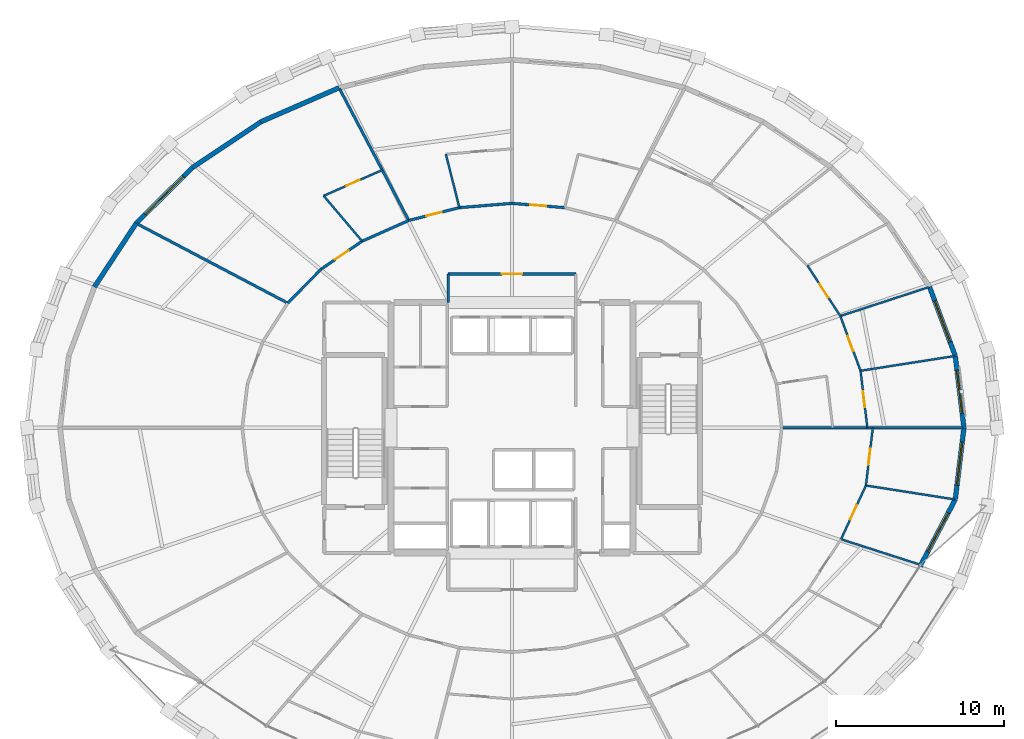
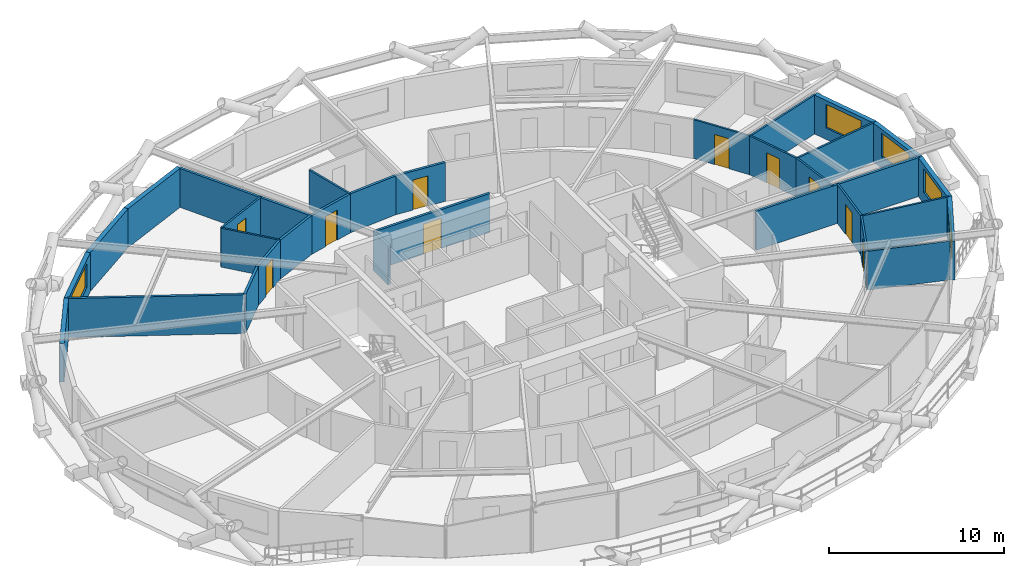
# One storey, part 18 of 21: 31 walls, 10 doors, 5 windows, 15 openings.
"""IFC4 building model written with IfcOpenShell, lengths in metres."""

from ifc_helpers import new_model, si_unit, direction, frame, frame_2d, origin, place, context, subcontext, project, spatial, rectangle, extrude, material, layer, layer_set, type_object, element, fill, save


model = new_model("IFC4")

# Units and contexts
model_context = context("Model", 3, precision=1e-05, world=origin(), true_north=direction((0.0, 1.0)))
body_context = subcontext(model_context, "Body", "Model", "MODEL_VIEW")
ifc_project = project(units=[si_unit("LENGTHUNIT", "METRE"), si_unit("AREAUNIT", "SQUARE_METRE"), si_unit("VOLUMEUNIT", "CUBIC_METRE"), si_unit("PLANEANGLEUNIT", "RADIAN"), si_unit("MASSUNIT", "GRAM", prefix="KILO")], contexts=[model_context])

# Site, building, storey
site_placement = place(None, origin())
site = spatial("IfcSite", under=ifc_project, at=site_placement, CompositionType="ELEMENT")
building_placement = place(site_placement, origin())
building = spatial("IfcBuilding", under=site, at=building_placement, Name="Veldorina Hangang Commons", CompositionType="ELEMENT")
storey_placement = place(building_placement, frame((0.0, 0.0, 66.39990234375)))
storey = spatial("IfcBuildingStorey", under=building, at=storey_placement, Name="L16", CompositionType="ELEMENT", Elevation=66.39990234375)

# Wall, opening, window
ifc_material_1 = material(Name="Stone Roman Travertine", Category="masonry")
ifc_layer_1 = layer(ifc_material_1, 0.280029296875)
ifc_layer_set_1 = layer_set([ifc_layer_1], Name="Stone Roman Travertine")
wall_type_1 = type_object("IfcWallType", Name="EW-TRAV-280", PredefinedType="STANDARD", material=ifc_layer_set_1)
wall_1_placement = place(storey_placement, frame((58.8916015625, 24.0, 0.0), z_axis=(0.0, 0.0, 1.0), x_axis=(-0.120143237499, 0.992756567585, 0.0)))
wall_1 = element("IfcWall", 1, at=wall_1_placement, inside=storey, type_object=wall_type_1, Name="L16 travertine facade wall 00", PredefinedType="STANDARD", context=body_context, shape_type="SweptSolid", body=[
    extrude(rectangle(XDim=4.302001953125, YDim=0.280029296875, at=frame_2d((2.15087890625, 0.0))), origin(), (0.0, 0.0, 1.0), 2.710205078125),
])
opening_1_placement = place(wall_1_placement, frame((0.85107421875, 0.0, 0.800048828125)))
opening_1 = element("IfcOpeningElement", 2, at=opening_1_placement, cuts=wall_1, Name="Opening W-02", PredefinedType="OPENING", context=body_context, shape_type="SweptSolid", body=[
    extrude(rectangle(XDim=2.60009765625, YDim=1.64990234375, at=frame_2d((1.300048828125, 0.824951171875))), frame((0.0, 0.14990234375, 0.0), z_axis=(0.0, -1.0, 0.0), x_axis=(1.0, 0.0, 0.0)), (0.0, 0.0, 1.0), 0.300048828125),
])
ifc_material_2 = material(Name="Glass Low-E Triple IGU", Category="glass")
window_type_1 = type_object("IfcWindowType", Name="WIN-TWR-2600", PartitioningType="SINGLE_PANEL", PredefinedType="WINDOW", material=ifc_material_2)
window_1_placement = place(opening_1_placement, origin())
window_1 = element("IfcWindow", 3, at=window_1_placement, inside=storey, type_object=window_type_1, Name="L16 facade window 00", OverallHeight=1.64990234375, OverallWidth=2.60009765625, PartitioningType="SINGLE_PANEL", PredefinedType="WINDOW", context=body_context, shape_type="SweptSolid", body=[
    extrude(rectangle(XDim=2.60009765625, YDim=1.64990234375, at=frame_2d((1.300048828125, 0.824951171875))), frame((0.0, 0.030029296875, 0.0), z_axis=(0.0, -1.0, 0.0), x_axis=(1.0, 0.0, 0.0)), (0.0, 0.0, 1.0), 0.06005859375),
])
fill(opening_1, window_1)

wall_2_placement = place(storey_placement, frame((58.374755859375, 28.270751953125, 0.0), z_axis=(0.0, 0.0, 1.0), x_axis=(-0.349175205633, 0.93705745596, 0.0)))
wall_2 = element("IfcWall", 4, at=wall_2_placement, inside=storey, type_object=wall_type_1, Name="L16 travertine facade wall 01", PredefinedType="STANDARD", context=body_context, shape_type="SweptSolid", body=[
    extrude(rectangle(XDim=4.382568359375, YDim=0.280029296875, at=frame_2d((2.19140625, 0.0))), origin(), (0.0, 0.0, 1.0), 2.710205078125),
])
opening_2_placement = place(wall_2_placement, frame((0.891357421875, 0.0, 0.800048828125)))
opening_2 = element("IfcOpeningElement", 5, at=opening_2_placement, cuts=wall_2, Name="Opening W-02", PredefinedType="OPENING", context=body_context, shape_type="SweptSolid", body=[
    extrude(rectangle(XDim=2.60009765625, YDim=1.64990234375, at=frame_2d((1.300048828125, 0.824951171875))), frame((0.0, 0.14990234375, 0.0), z_axis=(0.0, -1.0, 0.0), x_axis=(1.0, 0.0, 0.0)), (0.0, 0.0, 1.0), 0.300048828125),
])
window_2_placement = place(opening_2_placement, origin())
window_2 = element("IfcWindow", 6, at=window_2_placement, inside=storey, type_object=window_type_1, Name="L16 facade window 01", OverallHeight=1.64990234375, OverallWidth=2.60009765625, PartitioningType="SINGLE_PANEL", PredefinedType="WINDOW", context=body_context, shape_type="SweptSolid", body=[
    extrude(rectangle(XDim=2.60009765625, YDim=1.64990234375, at=frame_2d((1.300048828125, 0.824951171875))), frame((0.0, 0.030029296875, 0.0), z_axis=(0.0, -1.0, 0.0), x_axis=(1.0, 0.0, 0.0)), (0.0, 0.0, 1.0), 0.06005859375),
])
fill(opening_2, window_2)

# Walls
wall_3_placement = place(storey_placement, frame((21.708984375, 44.22509765625, 0.0), z_axis=(0.0, 0.0, 1.0), x_axis=(-0.916956720631, -0.398986682096, 0.0)))
element("IfcWall", 7, at=wall_3_placement, inside=storey, type_object=wall_type_1, Name="L16 travertine facade wall 10", PredefinedType="STANDARD", context=body_context, shape_type="SweptSolid", body=[
    extrude(rectangle(XDim=5.0703125, YDim=0.280029296875, at=frame_2d((2.53515625, 0.0))), origin(), (0.0, 0.0, 1.0), 2.710205078125),
])
wall_4_placement = place(storey_placement, frame((17.059814453125, 42.2021484375, 0.0), z_axis=(0.0, 0.0, 1.0), x_axis=(-0.83148272081, -0.555550614251, 0.0)))
element("IfcWall", 8, at=wall_4_placement, inside=storey, type_object=wall_type_1, Name="L16 travertine facade wall 11", PredefinedType="STANDARD", context=body_context, shape_type="SweptSolid", body=[
    extrude(rectangle(XDim=4.90087890625, YDim=0.280029296875, at=frame_2d((2.450439453125, 0.0))), origin(), (0.0, 0.0, 1.0), 2.710205078125),
])

# Wall, opening, window
wall_5_placement = place(storey_placement, frame((12.98486328125, 39.4794921875, 0.0), z_axis=(0.0, 0.0, 1.0), x_axis=(-0.710003239363, -0.704198409608, 0.0)))
wall_5 = element("IfcWall", 9, at=wall_5_placement, inside=storey, type_object=wall_type_1, Name="L16 travertine facade wall 12", PredefinedType="STANDARD", context=body_context, shape_type="SweptSolid", body=[
    extrude(rectangle(XDim=4.71044921875, YDim=0.280029296875, at=frame_2d((2.355224609375, 0.0))), origin(), (0.0, 0.0, 1.0), 2.710205078125),
])
opening_3_placement = place(wall_5_placement, frame((0.75537109375, 0.0, 0.800048828125)))
opening_3 = element("IfcOpeningElement", 10, at=opening_3_placement, cuts=wall_5, Name="Opening W-01", PredefinedType="OPENING", context=body_context, shape_type="SweptSolid", body=[
    extrude(rectangle(XDim=3.199951171875, YDim=1.64990234375, at=frame_2d((1.60009765625, 0.824951171875))), frame((0.0, 0.14990234375, 0.0), z_axis=(0.0, -1.0, 0.0), x_axis=(1.0, 0.0, 0.0)), (0.0, 0.0, 1.0), 0.300048828125),
])
window_type_2 = type_object("IfcWindowType", Name="WIN-TWR-3200", PartitioningType="SINGLE_PANEL", PredefinedType="WINDOW", material=ifc_material_2)
window_3_placement = place(opening_3_placement, origin())
window_3 = element("IfcWindow", 11, at=window_3_placement, inside=storey, type_object=window_type_2, Name="L16 facade window 12", OverallHeight=1.64990234375, OverallWidth=3.199951171875, PartitioningType="SINGLE_PANEL", PredefinedType="WINDOW", context=body_context, shape_type="SweptSolid", body=[
    extrude(rectangle(XDim=3.199951171875, YDim=1.64990234375, at=frame_2d((1.60009765625, 0.824951171875))), frame((0.0, 0.030029296875, 0.0), z_axis=(0.0, -1.0, 0.0), x_axis=(1.0, 0.0, 0.0)), (0.0, 0.0, 1.0), 0.06005859375),
])
fill(opening_3, window_3)

# Wall
wall_6_placement = place(storey_placement, frame((9.640380859375, 36.162353515625, 0.0), z_axis=(0.0, 0.0, 1.0), x_axis=(-0.54881308027, -0.83594509564, 0.0)))
element("IfcWall", 12, at=wall_6_placement, inside=storey, type_object=wall_type_1, Name="L16 travertine facade wall 13", PredefinedType="STANDARD", context=body_context, shape_type="SweptSolid", body=[
    extrude(rectangle(XDim=4.527587890625, YDim=0.280029296875, at=frame_2d((2.263671875, 0.0))), origin(), (0.0, 0.0, 1.0), 2.710205078125),
])

# Wall, opening, window
wall_7_placement = place(storey_placement, frame((56.2841796875, 15.75537109375, 0.0), z_axis=(0.0, 0.0, 1.0), x_axis=(0.465582838715, 0.88500430524, 0.0)))
wall_7 = element("IfcWall", 13, at=wall_7_placement, inside=storey, type_object=wall_type_1, Name="L16 travertine facade wall 30", PredefinedType="STANDARD", context=body_context, shape_type="SweptSolid", body=[
    extrude(rectangle(XDim=4.490234375, YDim=0.280029296875, at=frame_2d((2.2451171875, 0.0))), origin(), (0.0, 0.0, 1.0), 2.710205078125),
])
opening_4_placement = place(wall_7_placement, frame((0.9912109375, 0.0, 0.800048828125)))
opening_4 = element("IfcOpeningElement", 14, at=opening_4_placement, cuts=wall_7, Name="Opening W-02", PredefinedType="OPENING", context=body_context, shape_type="SweptSolid", body=[
    extrude(rectangle(XDim=2.60009765625, YDim=1.64990234375, at=frame_2d((1.300048828125, 0.824951171875))), frame((0.0, 0.14990234375, 0.0), z_axis=(0.0, -1.0, 0.0), x_axis=(1.0, 0.0, 0.0)), (0.0, 0.0, 1.0), 0.300048828125),
])
window_4_placement = place(opening_4_placement, origin())
window_4 = element("IfcWindow", 15, at=window_4_placement, inside=storey, type_object=window_type_1, Name="L16 facade window 30", OverallHeight=1.64990234375, OverallWidth=2.60009765625, PartitioningType="SINGLE_PANEL", PredefinedType="WINDOW", context=body_context, shape_type="SweptSolid", body=[
    extrude(rectangle(XDim=2.60009765625, YDim=1.64990234375, at=frame_2d((1.300048828125, 0.824951171875))), frame((0.0, 0.030029296875, 0.0), z_axis=(0.0, -1.0, 0.0), x_axis=(1.0, 0.0, 0.0)), (0.0, 0.0, 1.0), 0.06005859375),
])
fill(opening_4, window_4)

wall_8_placement = place(storey_placement, frame((58.374755859375, 19.729248046875, 0.0), z_axis=(0.0, 0.0, 1.0), x_axis=(0.120143237499, 0.992756567585, 0.0)))
wall_8 = element("IfcWall", 16, at=wall_8_placement, inside=storey, type_object=wall_type_1, Name="L16 travertine facade wall 31", PredefinedType="STANDARD", context=body_context, shape_type="SweptSolid", body=[
    extrude(rectangle(XDim=4.302001953125, YDim=0.280029296875, at=frame_2d((2.15087890625, 0.0))), origin(), (0.0, 0.0, 1.0), 2.710205078125),
])
opening_5_placement = place(wall_8_placement, frame((0.85107421875, 0.0, 0.800048828125)))
opening_5 = element("IfcOpeningElement", 17, at=opening_5_placement, cuts=wall_8, Name="Opening W-02", PredefinedType="OPENING", context=body_context, shape_type="SweptSolid", body=[
    extrude(rectangle(XDim=2.60009765625, YDim=1.64990234375, at=frame_2d((1.300048828125, 0.824951171875))), frame((0.0, 0.14990234375, 0.0), z_axis=(0.0, -1.0, 0.0), x_axis=(1.0, 0.0, 0.0)), (0.0, 0.0, 1.0), 0.300048828125),
])
window_5_placement = place(opening_5_placement, origin())
window_5 = element("IfcWindow", 18, at=window_5_placement, inside=storey, type_object=window_type_1, Name="L16 facade window 31", OverallHeight=1.64990234375, OverallWidth=2.60009765625, PartitioningType="SINGLE_PANEL", PredefinedType="WINDOW", context=body_context, shape_type="SweptSolid", body=[
    extrude(rectangle(XDim=2.60009765625, YDim=1.64990234375, at=frame_2d((1.300048828125, 0.824951171875))), frame((0.0, 0.030029296875, 0.0), z_axis=(0.0, -1.0, 0.0), x_axis=(1.0, 0.0, 0.0)), (0.0, 0.0, 1.0), 0.06005859375),
])
fill(opening_5, window_5)

# Wall
ifc_material_3 = material(Name="Gypsum Fire-Rated Twin Stud Wall", Category="gypsum")
ifc_layer_2 = layer(ifc_material_3, 0.159912109375)
ifc_layer_set_2 = layer_set([ifc_layer_2], Name="Gypsum Fire-Rated Twin Stud Wall")
wall_type_2 = type_object("IfcWallType", Name="WL-FIRE-160", PredefinedType="SOLIDWALL", material=ifc_layer_set_2)
wall_9_placement = place(storey_placement, frame((28.199951171875, 31.449951171875, 0.0), z_axis=(0.0, 0.0, 1.0), x_axis=(0.0, 1.0, 0.0)))
element("IfcWall", 19, at=wall_9_placement, inside=storey, type_object=wall_type_2, Name="L16 North lobby west wall 032", PredefinedType="SOLIDWALL", context=body_context, shape_type="SweptSolid", body=[
    extrude(rectangle(XDim=1.699951171875, YDim=0.159912109375, at=frame_2d((0.85009765625, 0.0))), origin(), (0.0, 0.0, 1.0), 2.710205078125),
])

# Wall, opening, door
wall_10_placement = place(storey_placement, frame((28.199951171875, 33.14990234375, 0.0), z_axis=(0.0, 0.0, 1.0), x_axis=(1.0, 0.0, 0.0)))
wall_10 = element("IfcWall", 20, at=wall_10_placement, inside=storey, type_object=wall_type_2, Name="L16 North lobby north wall 034", PredefinedType="SOLIDWALL", context=body_context, shape_type="SweptSolid", body=[
    extrude(rectangle(XDim=7.60009765625, YDim=0.159912109375, at=frame_2d((3.800048828125, 0.0))), origin(), (0.0, 0.0, 1.0), 2.710205078125),
])
opening_6_placement = place(wall_10_placement, frame((3.199951171875, 0.0, 0.0)))
opening_6 = element("IfcOpeningElement", 21, at=opening_6_placement, cuts=wall_10, Name="Opening D-09", PredefinedType="OPENING", context=body_context, shape_type="SweptSolid", body=[
    extrude(rectangle(XDim=1.199951171875, YDim=2.10009765625, at=frame_2d((0.60009765625, 1.050048828125))), frame((0.0, 0.08984375, 0.0), z_axis=(0.0, -1.0, 0.0), x_axis=(1.0, 0.0, 0.0)), (0.0, 0.0, 1.0), 0.179931640625),
])
ifc_material_4 = material(Name="Steel Fire-Rated Corridor Door", Category="steel")
door_type_1 = type_object("IfcDoorType", Name="DR-FIRE-1200", OperationType="SINGLE_SWING_LEFT", PredefinedType="DOOR", material=ifc_material_4)
door_1_placement = place(opening_6_placement, origin())
door_1 = element("IfcDoor", 22, at=door_1_placement, inside=storey, type_object=door_type_1, Name="L16 North lift lobby corridor door 012", OperationType="SINGLE_SWING_RIGHT", OverallHeight=2.10009765625, OverallWidth=1.199951171875, PredefinedType="DOOR", context=body_context, shape_type="SweptSolid", body=[
    extrude(rectangle(XDim=1.199951171875, YDim=2.10009765625, at=frame_2d((0.60009765625, 1.050048828125))), frame((0.0, 0.02490234375, 0.0), z_axis=(0.0, -1.0, 0.0), x_axis=(1.0, 0.0, 0.0)), (0.0, 0.0, 1.0), 0.050048828125),
])
fill(opening_6, door_1)

wall_11_placement = place(storey_placement, frame((35.131103515625, 37.093505859375, 0.0), z_axis=(0.0, 0.0, 1.0), x_axis=(-0.996658973252, 0.081675522876, 0.0)))
wall_11 = element("IfcWall", 23, at=wall_11_placement, inside=storey, type_object=wall_type_2, Name="L16 Corridor outer wall 07 055", PredefinedType="SOLIDWALL", context=body_context, shape_type="SweptSolid", body=[
    extrude(rectangle(XDim=3.1416015625, YDim=0.159912109375, at=frame_2d((1.57080078125, 0.0))), origin(), (0.0, 0.0, 1.0), 2.710205078125),
])
opening_7_placement = place(wall_11_placement, frame((1.095703125, 0.0, 0.0)))
opening_7 = element("IfcOpeningElement", 24, at=opening_7_placement, cuts=wall_11, Name="Opening D-03", PredefinedType="OPENING", context=body_context, shape_type="SweptSolid", body=[
    extrude(rectangle(XDim=0.949951171875, YDim=2.10009765625, at=frame_2d((0.47509765625, 1.050048828125))), frame((0.0, 0.08984375, 0.0), z_axis=(0.0, -1.0, 0.0), x_axis=(1.0, 0.0, 0.0)), (0.0, 0.0, 1.0), 0.179931640625),
])
ifc_material_5 = material(Name="Timber Fire-Rated Entrance Core", Category="wood")
door_type_2 = type_object("IfcDoorType", Name="DR-UNIT-950", OperationType="SINGLE_SWING_RIGHT", PredefinedType="DOOR", material=ifc_material_5)
door_2_placement = place(opening_7_placement, origin())
door_2 = element("IfcDoor", 25, at=door_2_placement, inside=storey, type_object=door_type_2, Name="L16 Studio 4 entrance door 039", OperationType="SINGLE_SWING_LEFT", OverallHeight=2.10009765625, OverallWidth=0.949951171875, PredefinedType="DOOR", context=body_context, shape_type="SweptSolid", body=[
    extrude(rectangle(XDim=0.949951171875, YDim=2.10009765625, at=frame_2d((0.47509765625, 1.050048828125))), frame((0.0, 0.02490234375, 0.0), z_axis=(0.0, -1.0, 0.0), x_axis=(1.0, 0.0, 0.0)), (0.0, 0.0, 1.0), 0.050048828125),
])
fill(opening_7, door_2)

# Wall
wall_12_placement = place(storey_placement, frame((32.0, 37.35009765625, 0.0), z_axis=(0.0, 0.0, 1.0), x_axis=(-0.996658973252, -0.081675522876, 0.0)))
element("IfcWall", 26, at=wall_12_placement, inside=storey, type_object=wall_type_2, Name="L16 Corridor outer wall 08 056", PredefinedType="SOLIDWALL", context=body_context, shape_type="SweptSolid", body=[
    extrude(rectangle(XDim=3.1416015625, YDim=0.159912109375, at=frame_2d((1.57080078125, 0.0))), origin(), (0.0, 0.0, 1.0), 2.710205078125),
])

# Wall, opening, door
wall_13_placement = place(storey_placement, frame((28.868896484375, 37.093505859375, 0.0), z_axis=(0.0, 0.0, 1.0), x_axis=(-0.969608333194, -0.244662380029, 0.0)))
wall_13 = element("IfcWall", 27, at=wall_13_placement, inside=storey, type_object=wall_type_2, Name="L16 Corridor outer wall 09 057", PredefinedType="SOLIDWALL", context=body_context, shape_type="SweptSolid", body=[
    extrude(rectangle(XDim=3.10546875, YDim=0.159912109375, at=frame_2d((1.552734375, 0.0))), origin(), (0.0, 0.0, 1.0), 2.710205078125),
])
opening_8_placement = place(wall_13_placement, frame((1.07763671875, 0.0, 0.0)))
opening_8 = element("IfcOpeningElement", 28, at=opening_8_placement, cuts=wall_13, Name="Opening D-03", PredefinedType="OPENING", context=body_context, shape_type="SweptSolid", body=[
    extrude(rectangle(XDim=0.949951171875, YDim=2.10009765625, at=frame_2d((0.47509765625, 1.050048828125))), frame((0.0, 0.08984375, 0.0), z_axis=(0.0, -1.0, 0.0), x_axis=(1.0, 0.0, 0.0)), (0.0, 0.0, 1.0), 0.179931640625),
])
door_3_placement = place(opening_8_placement, origin())
door_3 = element("IfcDoor", 29, at=door_3_placement, inside=storey, type_object=door_type_2, Name="L16 Studio 5 entrance door 041", OperationType="SINGLE_SWING_LEFT", OverallHeight=2.10009765625, OverallWidth=0.949951171875, PredefinedType="DOOR", context=body_context, shape_type="SweptSolid", body=[
    extrude(rectangle(XDim=0.949951171875, YDim=2.10009765625, at=frame_2d((0.47509765625, 1.050048828125))), frame((0.0, 0.02490234375, 0.0), z_axis=(0.0, -1.0, 0.0), x_axis=(1.0, 0.0, 0.0)), (0.0, 0.0, 1.0), 0.050048828125),
])
fill(opening_8, door_3)

# Wall
wall_14_placement = place(storey_placement, frame((25.85791015625, 36.333740234375, 0.0), z_axis=(0.0, 0.0, 1.0), x_axis=(-0.913768445178, -0.406235434936, 0.0)))
element("IfcWall", 30, at=wall_14_placement, inside=storey, type_object=wall_type_2, Name="L16 Corridor outer wall 10 058", PredefinedType="SOLIDWALL", context=body_context, shape_type="SweptSolid", body=[
    extrude(rectangle(XDim=3.036865234375, YDim=0.159912109375, at=frame_2d((1.5185546875, 0.0))), origin(), (0.0, 0.0, 1.0), 2.710205078125),
])

# Wall, opening, door
wall_15_placement = place(storey_placement, frame((23.0830078125, 35.10009765625, 0.0), z_axis=(0.0, 0.0, 1.0), x_axis=(-0.825929039072, -0.563774088104, 0.0)))
wall_15 = element("IfcWall", 31, at=wall_15_placement, inside=storey, type_object=wall_type_2, Name="L16 Corridor outer wall 11 059", PredefinedType="SOLIDWALL", context=body_context, shape_type="SweptSolid", body=[
    extrude(rectangle(XDim=2.94482421875, YDim=0.159912109375, at=frame_2d((1.472412109375, 0.0))), origin(), (0.0, 0.0, 1.0), 2.710205078125),
])
opening_9_placement = place(wall_15_placement, frame((0.997314453125, 0.0, 0.0)))
opening_9 = element("IfcOpeningElement", 32, at=opening_9_placement, cuts=wall_15, Name="Opening D-03", PredefinedType="OPENING", context=body_context, shape_type="SweptSolid", body=[
    extrude(rectangle(XDim=0.949951171875, YDim=2.10009765625, at=frame_2d((0.47509765625, 1.050048828125))), frame((0.0, 0.08984375, 0.0), z_axis=(0.0, -1.0, 0.0), x_axis=(1.0, 0.0, 0.0)), (0.0, 0.0, 1.0), 0.179931640625),
])
door_4_placement = place(opening_9_placement, origin())
door_4 = element("IfcDoor", 33, at=door_4_placement, inside=storey, type_object=door_type_2, Name="L16 Studio 6 entrance door 043", OperationType="SINGLE_SWING_LEFT", OverallHeight=2.10009765625, OverallWidth=0.949951171875, PredefinedType="DOOR", context=body_context, shape_type="SweptSolid", body=[
    extrude(rectangle(XDim=0.949951171875, YDim=2.10009765625, at=frame_2d((0.47509765625, 1.050048828125))), frame((0.0, 0.02490234375, 0.0), z_axis=(0.0, -1.0, 0.0), x_axis=(1.0, 0.0, 0.0)), (0.0, 0.0, 1.0), 0.050048828125),
])
fill(opening_9, door_4)

# Walls
wall_16_placement = place(storey_placement, frame((20.65087890625, 33.43994140625, 0.0), z_axis=(0.0, 0.0, 1.0), x_axis=(-0.702366174226, -0.711815816981, 0.0)))
element("IfcWall", 34, at=wall_16_placement, inside=storey, type_object=wall_type_2, Name="L16 Corridor outer wall 12 060", PredefinedType="SOLIDWALL", context=body_context, shape_type="SweptSolid", body=[
    extrude(rectangle(XDim=2.842041015625, YDim=0.159912109375, at=frame_2d((1.4208984375, 0.0))), origin(), (0.0, 0.0, 1.0), 2.710205078125),
])
wall_17_placement = place(storey_placement, frame((48.050048828125, 24.0, 0.0), z_axis=(0.0, 0.0, 1.0), x_axis=(1.0, 0.0, 0.0)))
element("IfcWall", 35, at=wall_17_placement, inside=storey, type_object=wall_type_2, Name="L16 Unit party wall 00 098", PredefinedType="SOLIDWALL", context=body_context, shape_type="SweptSolid", body=[
    extrude(rectangle(XDim=10.79150390625, YDim=0.159912109375, at=frame_2d((5.395751953125, 0.0))), origin(), (0.0, 0.0, 1.0), 2.710205078125),
])
wall_18_placement = place(storey_placement, frame((25.85791015625, 36.333740234375, 0.0), z_axis=(0.0, 0.0, 1.0), x_axis=(-0.465340061266, 0.885131983029, 0.0)))
element("IfcWall", 36, at=wall_18_placement, inside=storey, type_object=wall_type_2, Name="L16 Unit party wall 10 118", PredefinedType="SOLIDWALL", context=body_context, shape_type="SweptSolid", body=[
    extrude(rectangle(XDim=8.865478515625, YDim=0.159912109375, at=frame_2d((4.4326171875, 0.0))), origin(), (0.0, 0.0, 1.0), 2.710205078125),
])
wall_19_placement = place(storey_placement, frame((18.65478515625, 31.4169921875, 0.0), z_axis=(0.0, 0.0, 1.0), x_axis=(-0.88488217161, 0.465814922868, 0.0)))
element("IfcWall", 37, at=wall_19_placement, inside=storey, type_object=wall_type_2, Name="L16 Unit party wall 13 121", PredefinedType="SOLIDWALL", context=body_context, shape_type="SweptSolid", body=[
    extrude(rectangle(XDim=10.136962890625, YDim=0.159912109375, at=frame_2d((5.068359375, 0.0))), origin(), (0.0, 0.0, 1.0), 2.710205078125),
])

# Wall, opening, door
ifc_material_6 = material(Name="Gypsum Acoustic Stud Partition", Category="gypsum")
ifc_layer_3 = layer(ifc_material_6, 0.1201171875)
ifc_layer_set_3 = layer_set([ifc_layer_3], Name="Gypsum Acoustic Stud Partition")
wall_type_3 = type_object("IfcWallType", Name="WL-PART-120", PredefinedType="PARTITIONING", material=ifc_layer_set_3)
wall_20_placement = place(storey_placement, frame((51.57763671875, 17.364013671875, 0.0), z_axis=(0.0, 0.0, 1.0), x_axis=(0.420077084971, 0.907488425646, 0.0)))
wall_20 = element("IfcWall", 38, at=wall_20_placement, inside=storey, type_object=wall_type_3, Name="L16 Cluster 2 bed 5 front wall 094", PredefinedType="PARTITIONING", context=body_context, shape_type="SweptSolid", body=[
    extrude(rectangle(XDim=3.524169921875, YDim=0.1201171875, at=frame_2d((1.76220703125, 0.0))), origin(), (0.0, 0.0, 1.0), 2.710205078125),
])
opening_10_placement = place(wall_20_placement, frame((1.287109375, 0.0, 0.0)))
opening_10 = element("IfcOpeningElement", 39, at=opening_10_placement, cuts=wall_20, Name="Opening D-02", PredefinedType="OPENING", context=body_context, shape_type="SweptSolid", body=[
    extrude(rectangle(XDim=0.949951171875, YDim=2.10009765625, at=frame_2d((0.47509765625, 1.050048828125))), frame((0.0, 0.070068359375, 0.0), z_axis=(0.0, -1.0, 0.0), x_axis=(1.0, 0.0, 0.0)), (0.0, 0.0, 1.0), 0.14013671875),
])
ifc_material_7 = material(Name="Timber Solid Core Acoustic", Category="wood")
door_type_3 = type_object("IfcDoorType", Name="DR-INT-950", OperationType="SINGLE_SWING_LEFT", PredefinedType="DOOR", material=ifc_material_7)
door_5_placement = place(opening_10_placement, origin())
door_5 = element("IfcDoor", 40, at=door_5_placement, inside=storey, type_object=door_type_3, Name="L16 Cluster 2 bed 5 door 028", OperationType="SINGLE_SWING_RIGHT", OverallHeight=2.10009765625, OverallWidth=0.949951171875, PredefinedType="DOOR", context=body_context, shape_type="SweptSolid", body=[
    extrude(rectangle(XDim=0.949951171875, YDim=2.10009765625, at=frame_2d((0.47509765625, 1.050048828125))), frame((0.0, 0.02490234375, 0.0), z_axis=(0.0, -1.0, 0.0), x_axis=(1.0, 0.0, 0.0)), (0.0, 0.0, 1.0), 0.050048828125),
])
fill(opening_10, door_5)

# Wall
wall_21_placement = place(storey_placement, frame((51.57763671875, 17.364013671875, 0.0), z_axis=(0.0, 0.0, 1.0), x_axis=(0.951991009442, -0.306125983773, 0.0)))
element("IfcWall", 41, at=wall_21_placement, inside=storey, type_object=wall_type_3, Name="L16 Cluster 2 bed divider 4 095", PredefinedType="PARTITIONING", context=body_context, shape_type="SweptSolid", body=[
    extrude(rectangle(XDim=4.93896484375, YDim=0.1201171875, at=frame_2d((2.469482421875, 0.0))), origin(), (0.0, 0.0, 1.0), 2.710205078125),
])

# Wall, opening, door
wall_22_placement = place(storey_placement, frame((53.05810546875, 20.562255859375, 0.0), z_axis=(0.0, 0.0, 1.0), x_axis=(0.11916468359, 0.992874502737, 0.0)))
wall_22 = element("IfcWall", 42, at=wall_22_placement, inside=storey, type_object=wall_type_3, Name="L16 Cluster 2 bed 6 front wall 096", PredefinedType="PARTITIONING", context=body_context, shape_type="SweptSolid", body=[
    extrude(rectangle(XDim=3.46240234375, YDim=0.1201171875, at=frame_2d((1.731201171875, 0.0))), origin(), (0.0, 0.0, 1.0), 2.710205078125),
])
opening_11_placement = place(wall_22_placement, frame((1.256103515625, 0.0, 0.0)))
opening_11 = element("IfcOpeningElement", 43, at=opening_11_placement, cuts=wall_22, Name="Opening D-02", PredefinedType="OPENING", context=body_context, shape_type="SweptSolid", body=[
    extrude(rectangle(XDim=0.949951171875, YDim=2.10009765625, at=frame_2d((0.47509765625, 1.050048828125))), frame((0.0, 0.070068359375, 0.0), z_axis=(0.0, -1.0, 0.0), x_axis=(1.0, 0.0, 0.0)), (0.0, 0.0, 1.0), 0.14013671875),
])
door_6_placement = place(opening_11_placement, origin())
door_6 = element("IfcDoor", 44, at=door_6_placement, inside=storey, type_object=door_type_3, Name="L16 Cluster 2 bed 6 door 029", OperationType="SINGLE_SWING_LEFT", OverallHeight=2.10009765625, OverallWidth=0.949951171875, PredefinedType="DOOR", context=body_context, shape_type="SweptSolid", body=[
    extrude(rectangle(XDim=0.949951171875, YDim=2.10009765625, at=frame_2d((0.47509765625, 1.050048828125))), frame((0.0, 0.02490234375, 0.0), z_axis=(0.0, -1.0, 0.0), x_axis=(1.0, 0.0, 0.0)), (0.0, 0.0, 1.0), 0.050048828125),
])
fill(opening_11, door_6)

# Wall
wall_23_placement = place(storey_placement, frame((53.05810546875, 20.562255859375, 0.0), z_axis=(0.0, 0.0, 1.0), x_axis=(0.987942745889, -0.154819672021, 0.0)))
element("IfcWall", 45, at=wall_23_placement, inside=storey, type_object=wall_type_3, Name="L16 Cluster 2 bed divider 5 097", PredefinedType="PARTITIONING", context=body_context, shape_type="SweptSolid", body=[
    extrude(rectangle(XDim=5.33154296875, YDim=0.1201171875, at=frame_2d((2.665771484375, 0.0))), origin(), (0.0, 0.0, 1.0), 2.710205078125),
])

# Wall, opening, door
wall_24_placement = place(storey_placement, frame((53.1455078125, 24.0, 0.0), z_axis=(0.0, 0.0, 1.0), x_axis=(-0.119066217162, 0.992886315713, 0.0)))
wall_24 = element("IfcWall", 46, at=wall_24_placement, inside=storey, type_object=wall_type_3, Name="L16 Cluster 3 bed 1 front wall 101", PredefinedType="PARTITIONING", context=body_context, shape_type="SweptSolid", body=[
    extrude(rectangle(XDim=3.411865234375, YDim=0.1201171875, at=frame_2d((1.7060546875, 0.0))), origin(), (0.0, 0.0, 1.0), 2.710205078125),
])
opening_12_placement = place(wall_24_placement, frame((1.23095703125, 0.0, 0.0)))
opening_12 = element("IfcOpeningElement", 47, at=opening_12_placement, cuts=wall_24, Name="Opening D-02", PredefinedType="OPENING", context=body_context, shape_type="SweptSolid", body=[
    extrude(rectangle(XDim=0.949951171875, YDim=2.10009765625, at=frame_2d((0.47509765625, 1.050048828125))), frame((0.0, 0.070068359375, 0.0), z_axis=(0.0, -1.0, 0.0), x_axis=(1.0, 0.0, 0.0)), (0.0, 0.0, 1.0), 0.14013671875),
])
door_7_placement = place(opening_12_placement, origin())
door_7 = element("IfcDoor", 48, at=door_7_placement, inside=storey, type_object=door_type_3, Name="L16 Cluster 3 bed 1 door 032", OperationType="SINGLE_SWING_RIGHT", OverallHeight=2.10009765625, OverallWidth=0.949951171875, PredefinedType="DOOR", context=body_context, shape_type="SweptSolid", body=[
    extrude(rectangle(XDim=0.949951171875, YDim=2.10009765625, at=frame_2d((0.47509765625, 1.050048828125))), frame((0.0, 0.02490234375, 0.0), z_axis=(0.0, -1.0, 0.0), x_axis=(1.0, 0.0, 0.0)), (0.0, 0.0, 1.0), 0.050048828125),
])
fill(opening_12, door_7)

wall_25_placement = place(storey_placement, frame((52.7392578125, 27.3876953125, 0.0), z_axis=(0.0, 0.0, 1.0), x_axis=(-0.34654255885, 0.938034250391, 0.0)))
wall_25 = element("IfcWall", 49, at=wall_25_placement, inside=storey, type_object=wall_type_3, Name="L16 Cluster 3 bed 2 front wall 102", PredefinedType="PARTITIONING", context=body_context, shape_type="SweptSolid", body=[
    extrude(rectangle(XDim=3.472412109375, YDim=0.1201171875, at=frame_2d((1.736328125, 0.0))), origin(), (0.0, 0.0, 1.0), 2.710205078125),
])
opening_13_placement = place(wall_25_placement, frame((1.26123046875, 0.0, 0.0)))
opening_13 = element("IfcOpeningElement", 50, at=opening_13_placement, cuts=wall_25, Name="Opening D-02", PredefinedType="OPENING", context=body_context, shape_type="SweptSolid", body=[
    extrude(rectangle(XDim=0.949951171875, YDim=2.10009765625, at=frame_2d((0.47509765625, 1.050048828125))), frame((0.0, 0.070068359375, 0.0), z_axis=(0.0, -1.0, 0.0), x_axis=(1.0, 0.0, 0.0)), (0.0, 0.0, 1.0), 0.14013671875),
])
door_8_placement = place(opening_13_placement, origin())
door_8 = element("IfcDoor", 51, at=door_8_placement, inside=storey, type_object=door_type_3, Name="L16 Cluster 3 bed 2 door 033", OperationType="SINGLE_SWING_LEFT", OverallHeight=2.10009765625, OverallWidth=0.949951171875, PredefinedType="DOOR", context=body_context, shape_type="SweptSolid", body=[
    extrude(rectangle(XDim=0.949951171875, YDim=2.10009765625, at=frame_2d((0.47509765625, 1.050048828125))), frame((0.0, 0.02490234375, 0.0), z_axis=(0.0, -1.0, 0.0), x_axis=(1.0, 0.0, 0.0)), (0.0, 0.0, 1.0), 0.050048828125),
])
fill(opening_13, door_8)

# Wall
wall_26_placement = place(storey_placement, frame((52.7392578125, 27.3876953125, 0.0), z_axis=(0.0, 0.0, 1.0), x_axis=(0.987940514626, 0.154833909595, 0.0)))
element("IfcWall", 52, at=wall_26_placement, inside=storey, type_object=wall_type_3, Name="L16 Cluster 3 bed divider 1 103", PredefinedType="PARTITIONING", context=body_context, shape_type="SweptSolid", body=[
    extrude(rectangle(XDim=5.654296875, YDim=0.1201171875, at=frame_2d((2.8271484375, 0.0))), origin(), (0.0, 0.0, 1.0), 2.710205078125),
])

# Wall, opening, door
wall_27_placement = place(storey_placement, frame((51.535888671875, 30.64501953125, 0.0), z_axis=(0.0, 0.0, 1.0), x_axis=(-0.545512881942, 0.838102437436, 0.0)))
wall_27 = element("IfcWall", 53, at=wall_27_placement, inside=storey, type_object=wall_type_3, Name="L16 Cluster 3 bed 3 front wall 104", PredefinedType="PARTITIONING", context=body_context, shape_type="SweptSolid", body=[
    extrude(rectangle(XDim=3.58203125, YDim=0.1201171875, at=frame_2d((1.791015625, 0.0))), origin(), (0.0, 0.0, 1.0), 2.710205078125),
])
opening_14_placement = place(wall_27_placement, frame((1.31591796875, 0.0, 0.0)))
opening_14 = element("IfcOpeningElement", 54, at=opening_14_placement, cuts=wall_27, Name="Opening D-02", PredefinedType="OPENING", context=body_context, shape_type="SweptSolid", body=[
    extrude(rectangle(XDim=0.949951171875, YDim=2.10009765625, at=frame_2d((0.47509765625, 1.050048828125))), frame((0.0, 0.070068359375, 0.0), z_axis=(0.0, -1.0, 0.0), x_axis=(1.0, 0.0, 0.0)), (0.0, 0.0, 1.0), 0.14013671875),
])
door_9_placement = place(opening_14_placement, origin())
door_9 = element("IfcDoor", 55, at=door_9_placement, inside=storey, type_object=door_type_3, Name="L16 Cluster 3 bed 3 door 034", OperationType="SINGLE_SWING_RIGHT", OverallHeight=2.10009765625, OverallWidth=0.949951171875, PredefinedType="DOOR", context=body_context, shape_type="SweptSolid", body=[
    extrude(rectangle(XDim=0.949951171875, YDim=2.10009765625, at=frame_2d((0.47509765625, 1.050048828125))), frame((0.0, 0.02490234375, 0.0), z_axis=(0.0, -1.0, 0.0), x_axis=(1.0, 0.0, 0.0)), (0.0, 0.0, 1.0), 0.050048828125),
])
fill(opening_14, door_9)

# Walls
wall_28_placement = place(storey_placement, frame((51.535888671875, 30.64501953125, 0.0), z_axis=(0.0, 0.0, 1.0), x_axis=(0.950654058093, 0.310252899794, 0.0)))
element("IfcWall", 56, at=wall_28_placement, inside=storey, type_object=wall_type_3, Name="L16 Cluster 3 bed divider 2 105", PredefinedType="PARTITIONING", context=body_context, shape_type="SweptSolid", body=[
    extrude(rectangle(XDim=5.534423828125, YDim=0.1201171875, at=frame_2d((2.76708984375, 0.0))), origin(), (0.0, 0.0, 1.0), 2.710205078125),
])
wall_29_placement = place(storey_placement, frame((28.868896484375, 37.093505859375, 0.0), z_axis=(0.0, 0.0, 1.0), x_axis=(-0.24479200307, 0.969575616047, 0.0)))
element("IfcWall", 57, at=wall_29_placement, inside=storey, type_object=wall_type_3, Name="L16 Studio 5 bath side wall 117", PredefinedType="PARTITIONING", context=body_context, shape_type="SweptSolid", body=[
    extrude(rectangle(XDim=3.283203125, YDim=0.1201171875, at=frame_2d((1.6416015625, 0.0))), origin(), (0.0, 0.0, 1.0), 2.710205078125),
])

# Wall, opening, door
wall_30_placement = place(storey_placement, frame((24.281494140625, 39.33251953125, 0.0), z_axis=(0.0, 0.0, 1.0), x_axis=(-0.915384944757, -0.40257968517, 0.0)))
wall_30 = element("IfcWall", 58, at=wall_30_placement, inside=storey, type_object=wall_type_3, Name="L16 Studio 6 bath front wall 119", PredefinedType="PARTITIONING", context=body_context, shape_type="SweptSolid", body=[
    extrude(rectangle(XDim=3.8095703125, YDim=0.1201171875, at=frame_2d((1.90478515625, 0.0))), origin(), (0.0, 0.0, 1.0), 2.710205078125),
])
opening_15_placement = place(wall_30_placement, frame((1.474609375, 0.0, 0.0)))
opening_15 = element("IfcOpeningElement", 59, at=opening_15_placement, cuts=wall_30, Name="Opening D-01", PredefinedType="OPENING", context=body_context, shape_type="SweptSolid", body=[
    extrude(rectangle(XDim=0.860107421875, YDim=2.10009765625, at=frame_2d((0.43017578125, 1.050048828125))), frame((0.0, 0.070068359375, 0.0), z_axis=(0.0, -1.0, 0.0), x_axis=(1.0, 0.0, 0.0)), (0.0, 0.0, 1.0), 0.14013671875),
])
ifc_material_8 = material(Name="Timber Moisture-Resistant Core", Category="wood")
door_type_4 = type_object("IfcDoorType", Name="DR-WET-860", OperationType="SINGLE_SWING_LEFT", PredefinedType="DOOR", material=ifc_material_8)
door_10_placement = place(opening_15_placement, origin())
door_10 = element("IfcDoor", 60, at=door_10_placement, inside=storey, type_object=door_type_4, Name="L16 Studio 6 bathroom door 042", OperationType="SINGLE_SWING_RIGHT", OverallHeight=2.10009765625, OverallWidth=0.860107421875, PredefinedType="DOOR", context=body_context, shape_type="SweptSolid", body=[
    extrude(rectangle(XDim=0.860107421875, YDim=2.10009765625, at=frame_2d((0.43017578125, 1.050048828125))), frame((0.0, 0.02490234375, 0.0), z_axis=(0.0, -1.0, 0.0), x_axis=(1.0, 0.0, 0.0)), (0.0, 0.0, 1.0), 0.050048828125),
])
fill(opening_15, door_10)

# Wall
wall_31_placement = place(storey_placement, frame((23.0830078125, 35.10009765625, 0.0), z_axis=(0.0, 0.0, 1.0), x_axis=(-0.646810898815, 0.76265041872, 0.0)))
element("IfcWall", 61, at=wall_31_placement, inside=storey, type_object=wall_type_3, Name="L16 Studio 6 bath side wall 120", PredefinedType="PARTITIONING", context=body_context, shape_type="SweptSolid", body=[
    extrude(rectangle(XDim=3.53857421875, YDim=0.1201171875, at=frame_2d((1.769287109375, 0.0))), origin(), (0.0, 0.0, 1.0), 2.710205078125),
])

save(model, "model.ifc")
